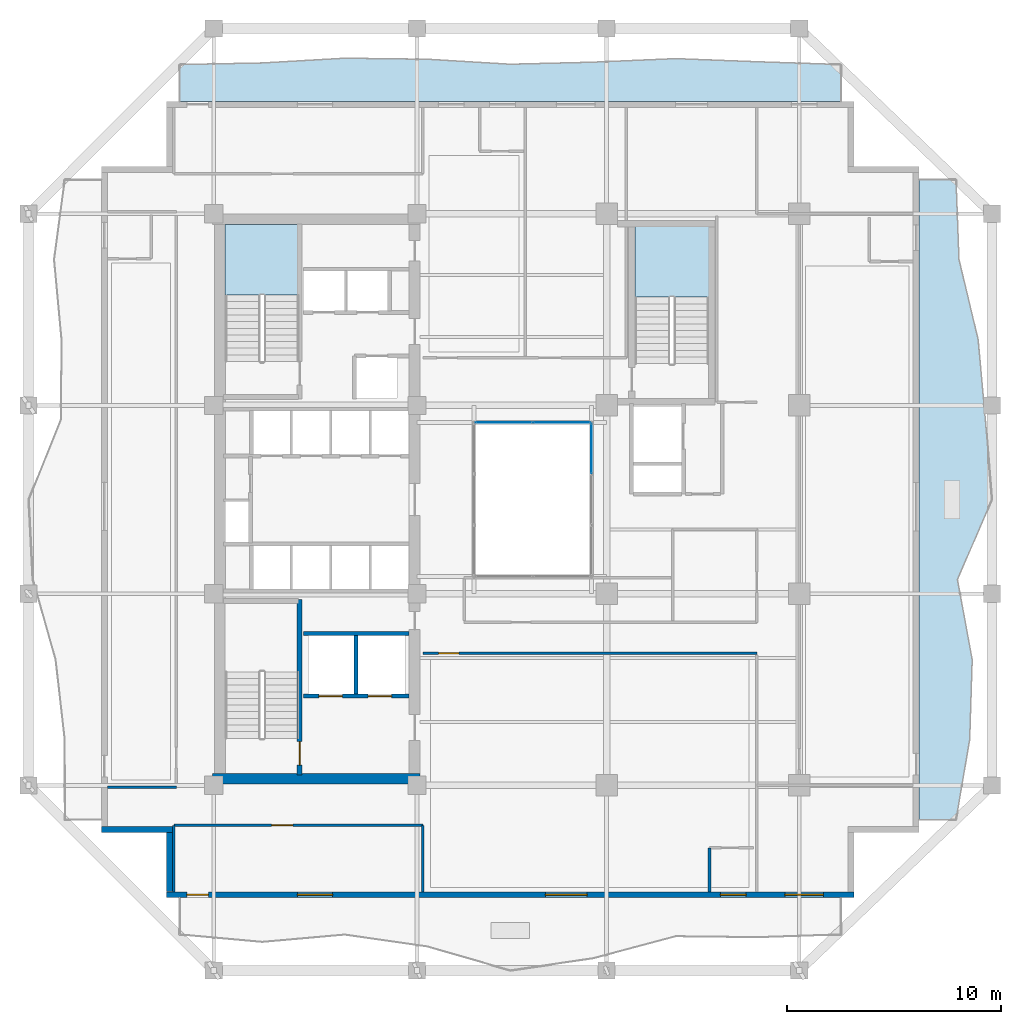
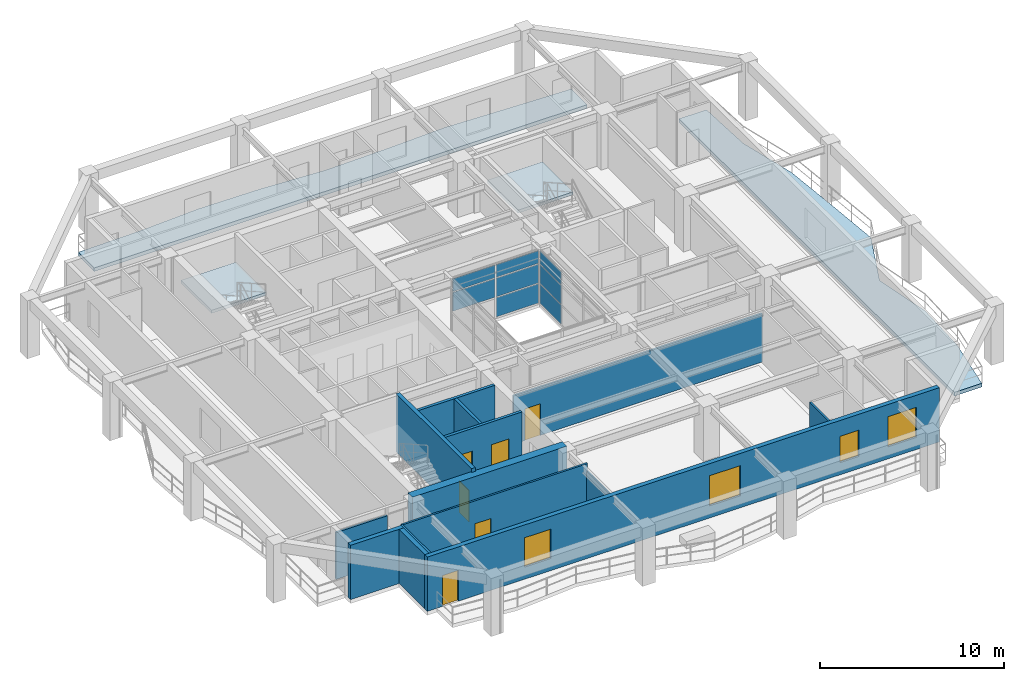
# One storey, part 6 of 14: 14 walls, 8 plates, 6 doors, 4 slabs, 4 windows, 10 openings, 4 elements without a shape of their own.
"""IFC4 building model written with IfcOpenShell, lengths in metres."""

from ifc_helpers import new_model, si_unit, direction, frame, frame_2d, origin, origin_2d, place, context, subcontext, project, spatial, polyline, rectangle, outline, extrude, material, layer, layer_set, type_object, element, fill, aggregate, save


model = new_model("IFC4")

# Units and contexts
model_context = context("Model", 3, precision=1e-05, world=origin(), true_north=direction((0.0, 1.0)))
body_context = subcontext(model_context, "Body", "Model", "MODEL_VIEW")
ifc_project = project(units=[si_unit("LENGTHUNIT", "METRE"), si_unit("AREAUNIT", "SQUARE_METRE"), si_unit("VOLUMEUNIT", "CUBIC_METRE"), si_unit("PLANEANGLEUNIT", "RADIAN"), si_unit("MASSUNIT", "GRAM", prefix="KILO")], contexts=[model_context])

# Site, building, storey
site_placement = place(None, origin())
site = spatial("IfcSite", under=ifc_project, at=site_placement, CompositionType="ELEMENT")
building_placement = place(site_placement, origin())
building = spatial("IfcBuilding", under=site, at=building_placement, Name="Kundavana Baori Tower", CompositionType="ELEMENT")
storey_placement = place(building_placement, frame((0.0, 0.0, 104.0)))
storey = spatial("IfcBuildingStorey", under=building, at=storey_placement, Name="L24", CompositionType="ELEMENT", Elevation=104.0)

# Curtain wall, plates
ifc_material_1 = material(Name="Thermally Broken Anodised Aluminium Framing", Category="aluminium")
ifc_layer_1 = layer(ifc_material_1, 0.205078125, Name="CW-SYS-4")
ifc_layer_set_1 = layer_set([ifc_layer_1], Name="Thermally Broken Anodised Aluminium Framing")
curtain_wall_type = type_object("IfcCurtainWallType", Name="CW-SYS-4", PredefinedType="NOTDEFINED", material=ifc_layer_set_1)
curtain_wall_1_placement = place(storey_placement, origin())
curtain_wall_1 = element("IfcCurtainWall", 1, at=curtain_wall_1_placement, inside=storey, type_object=curtain_wall_type, Name="L24 Atrium Glazed Curtain Wall E", PredefinedType="NOTDEFINED")
ifc_material_2 = material(Name="Double-Glazed Solar-Control Low-E Insulated Glass", Category="glass")
ifc_layer_2 = layer(ifc_material_2, 0.028076171875, Name="CW-PNL-GLS28")
ifc_layer_set_2 = layer_set([ifc_layer_2], Name="Double-Glazed Solar-Control Low-E Insulated Glass")
plate_type = type_object("IfcPlateType", Name="CW-PNL-GLS28", PredefinedType="CURTAIN_PANEL", material=ifc_layer_set_2)
plate_1_placement = place(storey_placement, frame((33.10009765625, 30.983642578125, 0.06494140625), z_axis=(0.0, 0.0, 1.0), x_axis=(0.0, 1.0, 0.0)))
plate_1 = element("IfcPlate", 2, at=plate_1_placement, type_object=plate_type, Name="CW4 panel 3.1", PredefinedType="CURTAIN_PANEL", context=body_context, shape_type="SweptSolid", body=[
    extrude(rectangle(XDim=2.302490234375, YDim=0.028076171875, at=origin_2d()), origin(), (0.0, 0.0, 1.0), 1.2705078125),
])
plate_2_placement = place(storey_placement, frame((33.10009765625, 30.983642578125, 1.400634765625), z_axis=(0.0, 0.0, 1.0), x_axis=(0.0, 1.0, 0.0)))
plate_2 = element("IfcPlate", 3, at=plate_2_placement, type_object=plate_type, Name="CW4 panel 3.2", PredefinedType="CURTAIN_PANEL", context=body_context, shape_type="SweptSolid", body=[
    extrude(rectangle(XDim=2.302490234375, YDim=0.028076171875, at=origin_2d()), origin(), (0.0, 0.0, 1.0), 1.23095703125),
])
plate_3_placement = place(storey_placement, frame((33.10009765625, 30.983642578125, 2.696533203125), z_axis=(0.0, 0.0, 1.0), x_axis=(0.0, 1.0, 0.0)))
plate_3 = element("IfcPlate", 4, at=plate_3_placement, type_object=plate_type, Name="CW4 panel 3.3", PredefinedType="CURTAIN_PANEL", context=body_context, shape_type="SweptSolid", body=[
    extrude(rectangle(XDim=2.302490234375, YDim=0.028076171875, at=origin_2d()), origin(), (0.0, 0.0, 1.0), 0.83837890625),
])
aggregate(curtain_wall_1, [plate_1, plate_2, plate_3])

curtain_wall_2_placement = place(storey_placement, origin())
curtain_wall_2 = element("IfcCurtainWall", 5, at=curtain_wall_2_placement, inside=storey, type_object=curtain_wall_type, Name="L24 Atrium Glazed Curtain Wall N", PredefinedType="NOTDEFINED")
plate_4_placement = place(storey_placement, frame((31.708740234375, 32.199951171875, 0.06494140625), z_axis=(0.0, 0.0, 1.0), x_axis=(-1.0, 0.0, 0.0)))
plate_4 = element("IfcPlate", 6, at=plate_4_placement, type_object=plate_type, Name="CW4 panel 1.1", PredefinedType="CURTAIN_PANEL", context=body_context, shape_type="SweptSolid", body=[
    extrude(rectangle(XDim=2.652587890625, YDim=0.028076171875, at=origin_2d()), origin(), (0.0, 0.0, 1.0), 1.2705078125),
])
plate_5_placement = place(storey_placement, frame((31.708740234375, 32.199951171875, 1.400634765625), z_axis=(0.0, 0.0, 1.0), x_axis=(-1.0, 0.0, 0.0)))
plate_5 = element("IfcPlate", 7, at=plate_5_placement, type_object=plate_type, Name="CW4 panel 1.2", PredefinedType="CURTAIN_PANEL", context=body_context, shape_type="SweptSolid", body=[
    extrude(rectangle(XDim=2.652587890625, YDim=0.028076171875, at=origin_2d()), origin(), (0.0, 0.0, 1.0), 1.23095703125),
])
plate_6_placement = place(storey_placement, frame((31.708740234375, 32.199951171875, 2.696533203125), z_axis=(0.0, 0.0, 1.0), x_axis=(-1.0, 0.0, 0.0)))
plate_6 = element("IfcPlate", 8, at=plate_6_placement, type_object=plate_type, Name="CW4 panel 1.3", PredefinedType="CURTAIN_PANEL", context=body_context, shape_type="SweptSolid", body=[
    extrude(rectangle(XDim=2.652587890625, YDim=0.028076171875, at=origin_2d()), origin(), (0.0, 0.0, 1.0), 0.83837890625),
])
plate_7_placement = place(storey_placement, frame((28.9912109375, 32.199951171875, 1.400634765625), z_axis=(0.0, 0.0, 1.0), x_axis=(-1.0, 0.0, 0.0)))
plate_7 = element("IfcPlate", 9, at=plate_7_placement, type_object=plate_type, Name="CW4 panel 2.2", PredefinedType="CURTAIN_PANEL", context=body_context, shape_type="SweptSolid", body=[
    extrude(rectangle(XDim=2.652587890625, YDim=0.028076171875, at=origin_2d()), origin(), (0.0, 0.0, 1.0), 1.23095703125),
])
plate_8_placement = place(storey_placement, frame((28.9912109375, 32.199951171875, 2.696533203125), z_axis=(0.0, 0.0, 1.0), x_axis=(-1.0, 0.0, 0.0)))
plate_8 = element("IfcPlate", 10, at=plate_8_placement, type_object=plate_type, Name="CW4 panel 2.3", PredefinedType="CURTAIN_PANEL", context=body_context, shape_type="SweptSolid", body=[
    extrude(rectangle(XDim=2.652587890625, YDim=0.028076171875, at=origin_2d()), origin(), (0.0, 0.0, 1.0), 0.83837890625),
])
aggregate(curtain_wall_2, [plate_4, plate_5, plate_6, plate_7, plate_8])

# Stair, slab
ifc_material_3 = material(Name="Concrete C40/50", Category="concrete")
stair_type = type_object("IfcStairType", Name="STR-DOG-1650", PredefinedType="HALF_TURN_STAIR", material=ifc_material_3)
stair_1_placement = place(storey_placement, origin())
stair_1 = element("IfcStair", 11, at=stair_1_placement, inside=storey, type_object=stair_type, Name="L24 Protected Exit Stair ST2", PredefinedType="HALF_TURN_STAIR")
ifc_material_4 = material(Name="Concrete C40/50", Category="concrete")
ifc_layer_3 = layer(ifc_material_4, 0.199951171875, Name="SLB-LND-200")
ifc_layer_set_3 = layer_set([ifc_layer_3], Name="Concrete C40/50")
slab_type_1 = type_object("IfcSlabType", Name="SLB-LND-200", PredefinedType="LANDING", material=ifc_layer_set_3)
slab_1_placement = place(storey_placement, frame((0.0, 0.0, 1.72509765625)))
slab_1 = element("IfcSlab", 12, at=slab_1_placement, type_object=slab_type_1, Name="ST2 landing 1", PredefinedType="LANDING", context=body_context, shape_type="SweptSolid", body=[
    extrude(outline(polyline([(19.43994140625, 38.14990234375), (19.43994140625, 41.449951171875), (15.97998046875, 41.449951171875), (15.97998046875, 38.14990234375), (19.43994140625, 38.14990234375)])), origin(), (0.0, 0.0, 1.0), 0.199951171875),
])
aggregate(stair_1, [slab_1])

stair_2_placement = place(storey_placement, origin())
stair_2 = element("IfcStair", 13, at=stair_2_placement, inside=storey, type_object=stair_type, Name="L24 Protected Exit Stair ST3", PredefinedType="HALF_TURN_STAIR")
slab_2_placement = place(storey_placement, frame((0.0, 0.0, 1.72509765625)))
slab_2 = element("IfcSlab", 14, at=slab_2_placement, type_object=slab_type_1, Name="ST3 landing 1", PredefinedType="LANDING", context=body_context, shape_type="SweptSolid", body=[
    extrude(outline(polyline([(38.580078125, 38.050048828125), (38.580078125, 41.35009765625), (35.1201171875, 41.35009765625), (35.1201171875, 38.050048828125), (38.580078125, 38.050048828125)])), origin(), (0.0, 0.0, 1.0), 0.199951171875),
])
aggregate(stair_2, [slab_2])

# Slabs
ifc_material_5 = material(Name="Concrete C40/50", Category="concrete")
ifc_layer_4 = layer(ifc_material_5, 0.239990234375, Name="SLB-LOG-240")
ifc_layer_set_4 = layer_set([ifc_layer_4], Name="Concrete C40/50")
slab_type_2 = type_object("IfcSlabType", Name="SLB-LOG-240", PredefinedType="FLOOR", material=ifc_layer_set_4)
slab_3_placement = place(storey_placement, frame((0.0, 0.0, -0.239990234375)))
element("IfcSlab", 15, at=slab_3_placement, inside=storey, type_object=slab_type_2, Name="L24 Planted Loggia Balcony Slab E", PredefinedType="FLOOR", context=body_context, shape_type="SweptSolid", body=[
    extrude(outline(polyline([(48.39990234375, 13.64990234375), (48.39990234375, 43.550048828125), (50.1201171875, 43.550048828125), (50.260009765625, 39.81201171875), (51.154052734375, 36.074951171875), (51.491943359375, 32.3369140625), (51.800048828125, 28.60009765625), (50.18603515625, 24.862060546875), (50.876953125, 21.125), (50.760009765625, 17.386962890625), (50.1201171875, 13.64990234375), (48.39990234375, 13.64990234375)])), origin(), (0.0, 0.0, 1.0), 0.239990234375),
])
slab_4_placement = place(storey_placement, frame((0.0, 0.0, -0.239990234375)))
element("IfcSlab", 16, at=slab_4_placement, inside=storey, type_object=slab_type_2, Name="L24 Planted Loggia Balcony Slab N", PredefinedType="FLOOR", context=body_context, shape_type="SweptSolid", body=[
    extrude(outline(polyline([(44.75, 47.199951171875), (13.85009765625, 47.199951171875), (13.85009765625, 48.919921875), (17.7119140625, 48.992919921875), (21.574951171875, 49.215087890625), (25.43798828125, 49.166015625), (29.300048828125, 48.93408203125), (33.1630859375, 49.029052734375), (37.02490234375, 49.195068359375), (40.886962890625, 49.048095703125), (44.75, 48.919921875), (44.75, 47.199951171875)])), origin(), (0.0, 0.0, 1.0), 0.239990234375),
])

# Wall, opening, door
ifc_material_6 = material(Name="Concrete C50/60", Category="concrete")
ifc_layer_5 = layer(ifc_material_6, 0.39990234375, Name="WL-CORE-400")
ifc_layer_set_5 = layer_set([ifc_layer_5], Name="Concrete C50/60")
wall_type_1 = type_object("IfcWallType", Name="WL-CORE-400", PredefinedType="SHEAR", material=ifc_layer_set_5)
wall_1_placement = place(storey_placement, frame((19.4599609375, 15.739990234375, 0.0), z_axis=(0.0, 0.0, 1.0), x_axis=(0.0, 1.0, 0.0)))
wall_1 = element("IfcWall", 17, at=wall_1_placement, inside=storey, type_object=wall_type_1, Name="WL-L24-ST1-E", PredefinedType="SHEAR", context=body_context, shape_type="SweptSolid", body=[
    extrude(rectangle(XDim=8.199951171875, YDim=0.239990234375, at=frame_2d((4.10009765625, 0.0))), origin(), (0.0, 0.0, 1.0), 3.85009765625),
])
opening_1_placement = place(wall_1_placement, frame((0.449951171875, 0.0, 0.0)))
opening_1 = element("IfcOpeningElement", 18, at=opening_1_placement, cuts=wall_1, Name="Opening FD-110", PredefinedType="OPENING", context=body_context, shape_type="SweptSolid", body=[
    extrude(rectangle(XDim=1.10009765625, YDim=2.10009765625, at=frame_2d((0.550048828125, 1.050048828125))), frame((0.0, 0.1298828125, 0.0), z_axis=(0.0, -1.0, 0.0), x_axis=(1.0, 0.0, 0.0)), (0.0, 0.0, 1.0), 0.260009765625),
])
ifc_material_7 = material(Name="Galvanised Steel Fire-Rated Door Leaf", Category="steel")
door_type_1 = type_object("IfcDoorType", Name="DR-FD120-1100", OperationType="NOTDEFINED", PredefinedType="DOOR", material=ifc_material_7)
door_1_placement = place(opening_1_placement, origin())
door_1 = element("IfcDoor", 19, at=door_1_placement, inside=storey, type_object=door_type_1, Name="DR-L24-ST1", OperationType="SINGLE_SWING_LEFT", OverallHeight=2.10009765625, OverallWidth=1.10009765625, PredefinedType="DOOR", context=body_context, shape_type="SweptSolid", body=[
    extrude(rectangle(XDim=1.10009765625, YDim=2.10009765625, at=frame_2d((0.550048828125, 1.050048828125))), frame((0.0, 0.02490234375, 0.0), z_axis=(0.0, -1.0, 0.0), x_axis=(1.0, 0.0, 0.0)), (0.0, 0.0, 1.0), 0.050048828125),
])
fill(opening_1, door_1)

# Wall
ifc_material_8 = material(Name="Concrete C50/60", Category="concrete")
ifc_layer_6 = layer(ifc_material_8, 0.5, Name="WL-CORE-500")
ifc_layer_set_6 = layer_set([ifc_layer_6], Name="Concrete C50/60")
wall_type_2 = type_object("IfcWallType", Name="WL-CORE-500", PredefinedType="SHEAR", material=ifc_layer_set_6)
wall_2_placement = place(storey_placement, frame((15.39990234375, 15.56005859375, 0.0), z_axis=(0.0, 0.0, 1.0), x_axis=(1.0, 0.0, 0.0)))
element("IfcWall", 20, at=wall_2_placement, inside=storey, type_object=wall_type_2, Name="L24 Offset Core South Shear Wall", PredefinedType="SHEAR", context=body_context, shape_type="SweptSolid", body=[
    extrude(rectangle(XDim=9.68017578125, YDim=0.5, at=frame_2d((4.840087890625, 0.0))), origin(), (0.0, 0.0, 1.0), 3.60009765625),
])

# Wall, openings, door, windows
ifc_material_9 = material(Name="Red-Buff Dholpur Sandstone Cladding on Concrete C40/50", Category="masonry")
ifc_layer_7 = layer(ifc_material_9, 0.280029296875, Name="WL-EXT-SAND-280")
ifc_layer_set_7 = layer_set([ifc_layer_7], Name="Red-Buff Dholpur Sandstone Cladding on Concrete C40/50")
wall_type_3 = type_object("IfcWallType", Name="WL-EXT-SAND-280", PredefinedType="STANDARD", material=ifc_layer_set_7)
wall_3_placement = place(storey_placement, frame((13.25, 10.139892578125, 0.0), z_axis=(0.0, 0.0, 1.0), x_axis=(1.0, 0.0, 0.0)))
wall_3 = element("IfcWall", 21, at=wall_3_placement, inside=storey, type_object=wall_type_3, Name="L24 Exterior Insulated Facade Wall 01", PredefinedType="STANDARD", context=body_context, shape_type="SweptSolid", body=[
    extrude(rectangle(XDim=32.10009765625, YDim=0.280029296875, at=frame_2d((16.050048828125, 0.0))), origin(), (0.0, 0.0, 1.0), 3.60009765625),
])
opening_2_placement = place(wall_3_placement, frame((0.949951171875, 0.0, 0.0)))
opening_2 = element("IfcOpeningElement", 22, at=opening_2_placement, cuts=wall_3, Name="Opening BD-1", PredefinedType="OPENING", context=body_context, shape_type="SweptSolid", body=[
    extrude(rectangle(XDim=1.0, YDim=2.050048828125, at=frame_2d((0.5, 1.02490234375))), frame((0.0, 0.14990234375, 0.0), z_axis=(0.0, -1.0, 0.0), x_axis=(1.0, 0.0, 0.0)), (0.0, 0.0, 1.0), 0.300048828125),
])
opening_3_placement = place(wall_3_placement, frame((6.10498046875, 0.0, 0.800048828125)))
opening_3 = element("IfcOpeningElement", 23, at=opening_3_placement, cuts=wall_3, Name="Opening W-08", PredefinedType="OPENING", context=body_context, shape_type="SweptSolid", body=[
    extrude(rectangle(XDim=1.64990234375, YDim=1.949951171875, at=frame_2d((0.824951171875, 0.97509765625))), frame((0.0, 0.14990234375, 0.0), z_axis=(0.0, -1.0, 0.0), x_axis=(1.0, 0.0, 0.0)), (0.0, 0.0, 1.0), 0.300048828125),
])
opening_4_placement = place(wall_3_placement, frame((17.68994140625, 0.0, 0.800048828125)))
opening_4 = element("IfcOpeningElement", 24, at=opening_4_placement, cuts=wall_3, Name="Opening W-09", PredefinedType="OPENING", context=body_context, shape_type="SweptSolid", body=[
    extrude(rectangle(XDim=1.949951171875, YDim=2.0, at=frame_2d((0.97509765625, 1.0))), frame((0.0, 0.14990234375, 0.0), z_axis=(0.0, -1.0, 0.0), x_axis=(1.0, 0.0, 0.0)), (0.0, 0.0, 1.0), 0.300048828125),
])
opening_5_placement = place(wall_3_placement, frame((25.864990234375, 0.0, 0.800048828125)))
opening_5 = element("IfcOpeningElement", 25, at=opening_5_placement, cuts=wall_3, Name="Opening W-03", PredefinedType="OPENING", context=body_context, shape_type="SweptSolid", body=[
    extrude(rectangle(XDim=1.199951171875, YDim=1.75, at=frame_2d((0.60009765625, 0.875))), frame((0.0, 0.14990234375, 0.0), z_axis=(0.0, -1.0, 0.0), x_axis=(1.0, 0.0, 0.0)), (0.0, 0.0, 1.0), 0.300048828125),
])
opening_6_placement = place(wall_3_placement, frame((28.8798828125, 0.0, 0.800048828125)))
opening_6 = element("IfcOpeningElement", 26, at=opening_6_placement, cuts=wall_3, Name="Opening W-01", PredefinedType="OPENING", context=body_context, shape_type="SweptSolid", body=[
    extrude(rectangle(XDim=1.800048828125, YDim=2.0, at=frame_2d((0.89990234375, 1.0))), frame((0.0, 0.14990234375, 0.0), z_axis=(0.0, -1.0, 0.0), x_axis=(1.0, 0.0, 0.0)), (0.0, 0.0, 1.0), 0.300048828125),
])
ifc_material_10 = material(Name="Architectural Patinated Bronze Metalwork")
door_type_2 = type_object("IfcDoorType", Name="DR-EXT-LOG-1000", OperationType="NOTDEFINED", PredefinedType="DOOR", material=ifc_material_10)
door_2_placement = place(opening_2_placement, frame((1.0, 0.0, 0.0), z_axis=(0.0, 0.0, 1.0), x_axis=(-1.0, 0.0, 0.0)))
door_2 = element("IfcDoor", 27, at=door_2_placement, inside=storey, type_object=door_type_2, Name="L24 Loggia Balcony Access Door S", OperationType="SINGLE_SWING_LEFT", OverallHeight=2.050048828125, OverallWidth=1.0, PredefinedType="DOOR", context=body_context, shape_type="SweptSolid", body=[
    extrude(rectangle(XDim=1.0, YDim=2.050048828125, at=frame_2d((0.5, 1.02490234375))), frame((0.0, 0.02490234375, 0.0), z_axis=(0.0, -1.0, 0.0), x_axis=(1.0, 0.0, 0.0)), (0.0, 0.0, 1.0), 0.050048828125),
])
fill(opening_2, door_2)
ifc_material_11 = material(Name="Double-Glazed Solar-Control Low-E Insulated Glass", Category="glass")
window_type_1 = type_object("IfcWindowType", Name="WIN-LOG-1200x1750", PartitioningType="SINGLE_PANEL", PredefinedType="WINDOW", material=ifc_material_11)
window_1_placement = place(opening_5_placement, origin())
window_1 = element("IfcWindow", 28, at=window_1_placement, inside=storey, type_object=window_type_1, Name="L24 Recessed Loggia Window S-3", OverallHeight=1.75, OverallWidth=1.199951171875, PartitioningType="SINGLE_PANEL", PredefinedType="WINDOW", context=body_context, shape_type="SweptSolid", body=[
    extrude(rectangle(XDim=1.199951171875, YDim=1.75, at=frame_2d((0.60009765625, 0.875))), frame((0.0, 0.030029296875, 0.0), z_axis=(0.0, -1.0, 0.0), x_axis=(1.0, 0.0, 0.0)), (0.0, 0.0, 1.0), 0.06005859375),
])
fill(opening_5, window_1)
ifc_material_12 = material(Name="Double-Glazed Solar-Control Low-E Insulated Glass", Category="glass")
window_type_2 = type_object("IfcWindowType", Name="WIN-LOG-1650x1950", PartitioningType="SINGLE_PANEL", PredefinedType="WINDOW", material=ifc_material_12)
window_2_placement = place(opening_3_placement, origin())
window_2 = element("IfcWindow", 29, at=window_2_placement, inside=storey, type_object=window_type_2, Name="L24 Recessed Loggia Window S-1", OverallHeight=1.949951171875, OverallWidth=1.64990234375, PartitioningType="SINGLE_PANEL", PredefinedType="WINDOW", context=body_context, shape_type="SweptSolid", body=[
    extrude(rectangle(XDim=1.64990234375, YDim=1.949951171875, at=frame_2d((0.824951171875, 0.97509765625))), frame((0.0, 0.030029296875, 0.0), z_axis=(0.0, -1.0, 0.0), x_axis=(1.0, 0.0, 0.0)), (0.0, 0.0, 1.0), 0.06005859375),
])
fill(opening_3, window_2)
ifc_material_13 = material(Name="Double-Glazed Solar-Control Low-E Insulated Glass", Category="glass")
window_type_3 = type_object("IfcWindowType", Name="WIN-LOG-1800x2000", PartitioningType="SINGLE_PANEL", PredefinedType="WINDOW", material=ifc_material_13)
window_3_placement = place(opening_6_placement, origin())
window_3 = element("IfcWindow", 30, at=window_3_placement, inside=storey, type_object=window_type_3, Name="L24 Recessed Loggia Window S-4", OverallHeight=2.0, OverallWidth=1.800048828125, PartitioningType="SINGLE_PANEL", PredefinedType="WINDOW", context=body_context, shape_type="SweptSolid", body=[
    extrude(rectangle(XDim=1.800048828125, YDim=2.0, at=frame_2d((0.89990234375, 1.0))), frame((0.0, 0.030029296875, 0.0), z_axis=(0.0, -1.0, 0.0), x_axis=(1.0, 0.0, 0.0)), (0.0, 0.0, 1.0), 0.06005859375),
])
fill(opening_6, window_3)
ifc_material_14 = material(Name="Double-Glazed Solar-Control Low-E Insulated Glass", Category="glass")
window_type_4 = type_object("IfcWindowType", Name="WIN-LOG-1950x2000", PartitioningType="SINGLE_PANEL", PredefinedType="WINDOW", material=ifc_material_14)
window_4_placement = place(opening_4_placement, origin())
window_4 = element("IfcWindow", 31, at=window_4_placement, inside=storey, type_object=window_type_4, Name="L24 Recessed Loggia Window S-2", OverallHeight=2.0, OverallWidth=1.949951171875, PartitioningType="SINGLE_PANEL", PredefinedType="WINDOW", context=body_context, shape_type="SweptSolid", body=[
    extrude(rectangle(XDim=1.949951171875, YDim=2.0, at=frame_2d((0.97509765625, 1.0))), frame((0.0, 0.030029296875, 0.0), z_axis=(0.0, -1.0, 0.0), x_axis=(1.0, 0.0, 0.0)), (0.0, 0.0, 1.0), 0.06005859375),
])
fill(opening_4, window_4)

# Walls
wall_4_placement = place(storey_placement, frame((10.199951171875, 13.18994140625, 0.0), z_axis=(0.0, 0.0, 1.0), x_axis=(1.0, 0.0, 0.0)))
element("IfcWall", 32, at=wall_4_placement, inside=storey, type_object=wall_type_3, Name="L24 Exterior Insulated Facade Wall 11", PredefinedType="STANDARD", context=body_context, shape_type="SweptSolid", body=[
    extrude(rectangle(XDim=3.330078125, YDim=0.280029296875, at=frame_2d((1.6650390625, 0.0))), origin(), (0.0, 0.0, 1.0), 3.60009765625),
])
wall_5_placement = place(storey_placement, frame((13.389892578125, 13.050048828125, 0.0), z_axis=(0.0, 0.0, 1.0), x_axis=(0.0, -1.0, 0.0)))
element("IfcWall", 33, at=wall_5_placement, inside=storey, type_object=wall_type_3, Name="L24 Exterior Insulated Facade Wall 12", PredefinedType="STANDARD", context=body_context, shape_type="SweptSolid", body=[
    extrude(rectangle(XDim=2.77001953125, YDim=0.280029296875, at=frame_2d((1.385009765625, 0.0))), origin(), (0.0, 0.0, 1.0), 3.60009765625),
])

# Wall, opening, door
ifc_material_15 = material(Name="Acoustic Gypsum Plasterboard on Galvanised Steel Studs", Category="steel")
ifc_layer_8 = layer(ifc_material_15, 0.1201171875, Name="WL-PART-120")
ifc_layer_set_8 = layer_set([ifc_layer_8], Name="Acoustic Gypsum Plasterboard on Galvanised Steel Studs")
wall_type_4 = type_object("IfcWallType", Name="WL-PART-120", PredefinedType="PARTITIONING", material=ifc_layer_set_8)
wall_6_placement = place(storey_placement, frame((25.219970703125, 21.419921875, 0.0), z_axis=(0.0, 0.0, 1.0), x_axis=(1.0, 0.0, 0.0)))
wall_6 = element("IfcWall", 34, at=wall_6_placement, inside=storey, type_object=wall_type_4, Name="WL-L24-HS", PredefinedType="PARTITIONING", context=body_context, shape_type="SweptSolid", body=[
    extrude(rectangle(XDim=15.60009765625, YDim=0.1201171875, at=frame_2d((7.800048828125, 0.0))), origin(), (0.0, 0.0, 1.0), 3.199951171875),
])
opening_7_placement = place(wall_6_placement, frame((0.72998046875, 0.0, 0.0)))
opening_7 = element("IfcOpeningElement", 35, at=opening_7_placement, cuts=wall_6, Name="Opening FD-095", PredefinedType="OPENING", context=body_context, shape_type="SweptSolid", body=[
    extrude(rectangle(XDim=0.949951171875, YDim=2.10009765625, at=frame_2d((0.47509765625, 1.050048828125))), frame((0.0, 0.070068359375, 0.0), z_axis=(0.0, -1.0, 0.0), x_axis=(1.0, 0.0, 0.0)), (0.0, 0.0, 1.0), 0.14013671875),
])
ifc_material_16 = material(Name="Engineered Teak Fire-Rated Timber Door Leaf", Category="wood")
door_type_3 = type_object("IfcDoorType", Name="DR-FD60-950", OperationType="NOTDEFINED", PredefinedType="DOOR", material=ifc_material_16)
door_3_placement = place(opening_7_placement, frame((0.949951171875, 0.0, 0.0), z_axis=(0.0, 0.0, 1.0), x_axis=(-1.0, 0.0, 0.0)))
door_3 = element("IfcDoor", 36, at=door_3_placement, inside=storey, type_object=door_type_3, Name="DR-L24-HK-S1-ENT", OperationType="SINGLE_SWING_RIGHT", OverallHeight=2.10009765625, OverallWidth=0.949951171875, PredefinedType="DOOR", context=body_context, shape_type="SweptSolid", body=[
    extrude(rectangle(XDim=0.949951171875, YDim=2.10009765625, at=frame_2d((0.47509765625, 1.050048828125))), frame((0.0, 0.02490234375, 0.0), z_axis=(0.0, -1.0, 0.0), x_axis=(1.0, 0.0, 0.0)), (0.0, 0.0, 1.0), 0.050048828125),
])
fill(opening_7, door_3)

# Wall
wall_7_placement = place(storey_placement, frame((10.47998046875, 15.159912109375, 0.0), z_axis=(0.0, 0.0, 1.0), x_axis=(1.0, 0.0, 0.0)))
element("IfcWall", 37, at=wall_7_placement, inside=storey, type_object=wall_type_4, Name="WL-L24-HWS", PredefinedType="PARTITIONING", context=body_context, shape_type="SweptSolid", body=[
    extrude(rectangle(XDim=3.219970703125, YDim=0.1201171875, at=frame_2d((1.60986328125, 0.0))), origin(), (0.0, 0.0, 1.0), 3.10009765625),
])

# Wall, opening, door
wall_8_placement = place(storey_placement, frame((13.590087890625, 13.3798828125, 0.0), z_axis=(0.0, 0.0, 1.0), x_axis=(1.0, 0.0, 0.0)))
wall_8 = element("IfcWall", 38, at=wall_8_placement, inside=storey, type_object=wall_type_4, Name="WL-L24-HSC", PredefinedType="PARTITIONING", context=body_context, shape_type="SweptSolid", body=[
    extrude(rectangle(XDim=11.6298828125, YDim=0.1201171875, at=frame_2d((5.81494140625, 0.0))), origin(), (0.0, 0.0, 1.0), 3.60009765625),
])
opening_8_placement = place(wall_8_placement, frame((4.56005859375, 0.0, 0.0)))
opening_8 = element("IfcOpeningElement", 39, at=opening_8_placement, cuts=wall_8, Name="Opening ID-100", PredefinedType="OPENING", context=body_context, shape_type="SweptSolid", body=[
    extrude(rectangle(XDim=1.0, YDim=2.080078125, at=frame_2d((0.5, 1.0400390625))), frame((0.0, 0.070068359375, 0.0), z_axis=(0.0, -1.0, 0.0), x_axis=(1.0, 0.0, 0.0)), (0.0, 0.0, 1.0), 0.14013671875),
])
ifc_material_17 = material(Name="Engineered Teak Solid-Core Timber Veneer", Category="wood")
door_type_4 = type_object("IfcDoorType", Name="DR-INT-1000", OperationType="NOTDEFINED", PredefinedType="DOOR", material=ifc_material_17)
door_4_placement = place(opening_8_placement, frame((1.0, 0.0, 0.0), z_axis=(0.0, 0.0, 1.0), x_axis=(-1.0, 0.0, 0.0)))
door_4 = element("IfcDoor", 40, at=door_4_placement, inside=storey, type_object=door_type_4, Name="DR-L24-HMSW", OperationType="SINGLE_SWING_LEFT", OverallHeight=2.080078125, OverallWidth=1.0, PredefinedType="DOOR", context=body_context, shape_type="SweptSolid", body=[
    extrude(rectangle(XDim=1.0, YDim=2.080078125, at=frame_2d((0.5, 1.0400390625))), frame((0.0, 0.02490234375, 0.0), z_axis=(0.0, -1.0, 0.0), x_axis=(1.0, 0.0, 0.0)), (0.0, 0.0, 1.0), 0.050048828125),
])
fill(opening_8, door_4)

# Walls
wall_9_placement = place(storey_placement, frame((13.590087890625, 10.280029296875, 0.0), z_axis=(0.0, 0.0, 1.0), x_axis=(0.0, 1.0, 0.0)))
element("IfcWall", 41, at=wall_9_placement, inside=storey, type_object=wall_type_4, Name="WL-L24-HSCW", PredefinedType="PARTITIONING", context=body_context, shape_type="SweptSolid", body=[
    extrude(rectangle(XDim=3.099853515625, YDim=0.1201171875, at=frame_2d((1.5498046875, 0.0))), origin(), (0.0, 0.0, 1.0), 3.60009765625),
])
wall_10_placement = place(storey_placement, frame((25.219970703125, 10.280029296875, 0.0), z_axis=(0.0, 0.0, 1.0), x_axis=(0.0, 1.0, 0.0)))
element("IfcWall", 42, at=wall_10_placement, inside=storey, type_object=wall_type_4, Name="WL-L24-HSCE", PredefinedType="PARTITIONING", context=body_context, shape_type="SweptSolid", body=[
    extrude(rectangle(XDim=3.099853515625, YDim=0.1201171875, at=frame_2d((1.5498046875, 0.0))), origin(), (0.0, 0.0, 1.0), 3.10009765625),
])

# Wall, openings, doors
ifc_material_18 = material(Name="Autoclaved Aerated Concrete Blockwork Masonry", Category="masonry")
ifc_layer_9 = layer(ifc_material_18, 0.179931640625, Name="WL-SHAFT-180")
ifc_layer_set_9 = layer_set([ifc_layer_9], Name="Autoclaved Aerated Concrete Blockwork Masonry")
wall_type_5 = type_object("IfcWallType", Name="WL-SHAFT-180", PredefinedType="SOLIDWALL", material=ifc_layer_set_9)
wall_11_placement = place(storey_placement, frame((19.639892578125, 19.419921875, 0.0), z_axis=(0.0, 0.0, 1.0), x_axis=(1.0, 0.0, 0.0)))
wall_11 = element("IfcWall", 43, at=wall_11_placement, inside=storey, type_object=wall_type_5, Name="WL-L24-FFL-S", PredefinedType="SOLIDWALL", context=body_context, shape_type="SweptSolid", body=[
    extrude(rectangle(XDim=4.940185546875, YDim=0.179931640625, at=frame_2d((2.47021484375, 0.0))), origin(), (0.0, 0.0, 1.0), 3.60009765625),
])
opening_9_placement = place(wall_11_placement, frame((0.719970703125, 0.0, 0.0)))
opening_9 = element("IfcOpeningElement", 44, at=opening_9_placement, cuts=wall_11, Name="Opening LD-110", PredefinedType="OPENING", context=body_context, shape_type="SweptSolid", body=[
    extrude(rectangle(XDim=1.10009765625, YDim=2.10009765625, at=frame_2d((0.550048828125, 1.050048828125))), frame((0.0, 0.10009765625, 0.0), z_axis=(0.0, -1.0, 0.0), x_axis=(1.0, 0.0, 0.0)), (0.0, 0.0, 1.0), 0.199951171875),
])
opening_10_placement = place(wall_11_placement, frame((3.02001953125, 0.0, 0.0)))
opening_10 = element("IfcOpeningElement", 45, at=opening_10_placement, cuts=wall_11, Name="Opening LD-110", PredefinedType="OPENING", context=body_context, shape_type="SweptSolid", body=[
    extrude(rectangle(XDim=1.10009765625, YDim=2.10009765625, at=frame_2d((0.550048828125, 1.050048828125))), frame((0.0, 0.10009765625, 0.0), z_axis=(0.0, -1.0, 0.0), x_axis=(1.0, 0.0, 0.0)), (0.0, 0.0, 1.0), 0.199951171875),
])
ifc_material_19 = material(Name="Galvanised Steel Fire-Rated Door Leaf", Category="steel")
door_type_5 = type_object("IfcDoorType", Name="DR-SLIDE-LD1100", OperationType="NOTDEFINED", PredefinedType="DOOR", material=ifc_material_19)
door_5_placement = place(opening_9_placement, origin())
door_5 = element("IfcDoor", 46, at=door_5_placement, inside=storey, type_object=door_type_5, Name="DR-L24-LD-FFL-1", OperationType="DOUBLE_DOOR_SLIDING", OverallHeight=2.10009765625, OverallWidth=1.10009765625, PredefinedType="DOOR", context=body_context, shape_type="SweptSolid", body=[
    extrude(rectangle(XDim=1.10009765625, YDim=2.10009765625, at=frame_2d((0.550048828125, 1.050048828125))), frame((0.0, 0.02490234375, 0.0), z_axis=(0.0, -1.0, 0.0), x_axis=(1.0, 0.0, 0.0)), (0.0, 0.0, 1.0), 0.050048828125),
])
fill(opening_9, door_5)
door_6_placement = place(opening_10_placement, origin())
door_6 = element("IfcDoor", 47, at=door_6_placement, inside=storey, type_object=door_type_5, Name="DR-L24-LD-FFL-2", OperationType="DOUBLE_DOOR_SLIDING", OverallHeight=2.10009765625, OverallWidth=1.10009765625, PredefinedType="DOOR", context=body_context, shape_type="SweptSolid", body=[
    extrude(rectangle(XDim=1.10009765625, YDim=2.10009765625, at=frame_2d((0.550048828125, 1.050048828125))), frame((0.0, 0.02490234375, 0.0), z_axis=(0.0, -1.0, 0.0), x_axis=(1.0, 0.0, 0.0)), (0.0, 0.0, 1.0), 0.050048828125),
])
fill(opening_10, door_6)

# Walls
wall_12_placement = place(storey_placement, frame((22.10009765625, 19.510009765625, 0.0), z_axis=(0.0, 0.0, 1.0), x_axis=(0.0, 1.0, 0.0)))
element("IfcWall", 48, at=wall_12_placement, inside=storey, type_object=wall_type_5, Name="WL-L24-FFL-MID", PredefinedType="SOLIDWALL", context=body_context, shape_type="SweptSolid", body=[
    extrude(rectangle(XDim=2.739990234375, YDim=0.179931640625, at=frame_2d((1.3701171875, 0.0))), origin(), (0.0, 0.0, 1.0), 3.60009765625),
])
wall_13_placement = place(storey_placement, frame((19.639892578125, 22.340087890625, 0.0), z_axis=(0.0, 0.0, 1.0), x_axis=(1.0, 0.0, 0.0)))
element("IfcWall", 49, at=wall_13_placement, inside=storey, type_object=wall_type_5, Name="WL-L24-FFL-N", PredefinedType="SOLIDWALL", context=body_context, shape_type="SweptSolid", body=[
    extrude(rectangle(XDim=4.940185546875, YDim=0.179931640625, at=frame_2d((2.47021484375, 0.0))), origin(), (0.0, 0.0, 1.0), 3.60009765625),
])
ifc_material_20 = material(Name="Autoclaved Aerated Concrete Blockwork Masonry", Category="masonry")
ifc_layer_10 = layer(ifc_material_20, 0.125, Name="WL-WET-120")
ifc_layer_set_10 = layer_set([ifc_layer_10], Name="Autoclaved Aerated Concrete Blockwork Masonry")
wall_type_6 = type_object("IfcWallType", Name="WL-WET-120", PredefinedType="PLUMBINGWALL", material=ifc_layer_set_10)
wall_14_placement = place(storey_placement, frame((38.610107421875, 10.280029296875, 0.0), z_axis=(0.0, 0.0, 1.0), x_axis=(0.0, 1.0, 0.0)))
element("IfcWall", 50, at=wall_14_placement, inside=storey, type_object=wall_type_6, Name="WL-L24-HK-S1-BW", PredefinedType="PLUMBINGWALL", context=body_context, shape_type="SweptSolid", body=[
    extrude(rectangle(XDim=2.050048828125, YDim=0.125, at=frame_2d((1.02490234375, 0.0))), origin(), (0.0, 0.0, 1.0), 3.60009765625),
])

save(model, "model.ifc")
